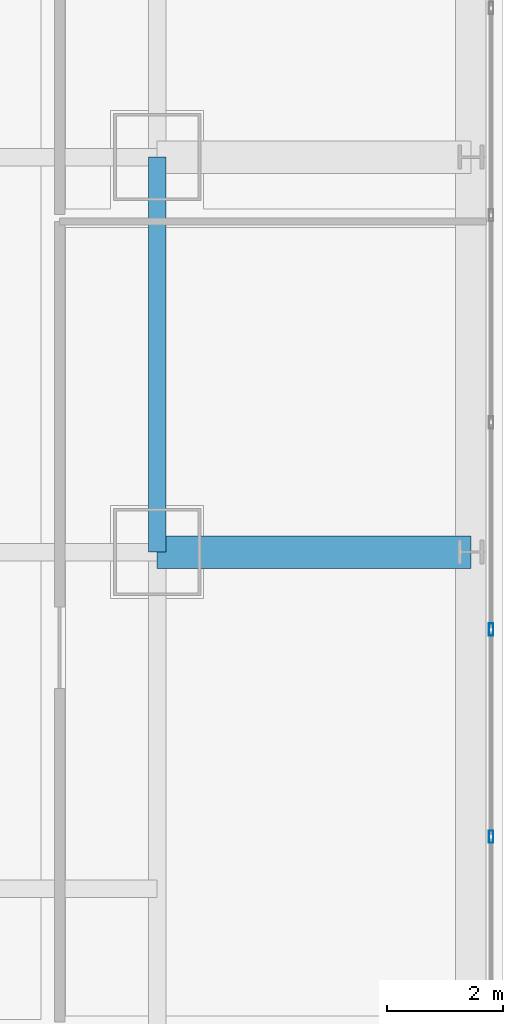
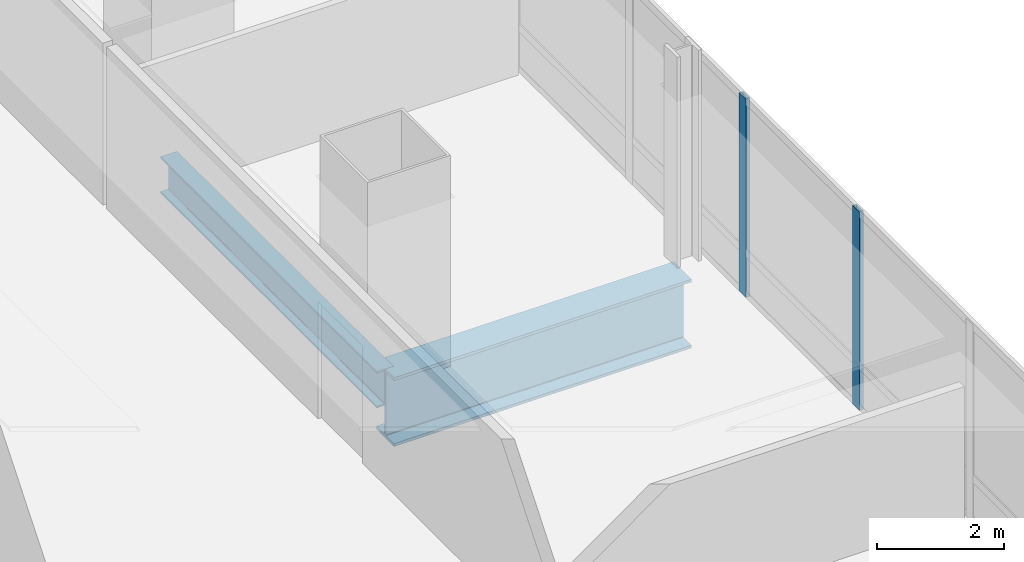
# One storey, part 15 of 34: 2 beams, 2 members, 1 element without a shape of its own.
"""IFC4 building model written with IfcOpenShell, lengths in metres."""

from ifc_helpers import new_model, si_unit, direction, frame, origin, origin_2d, place, context, subcontext, project, spatial, hollow_rectangle, i_section, extrude, material, material_profile, profile_set, type_object, element, aggregate, save


model = new_model("IFC4")

# Units and contexts
model_context = context("Model", 3, precision=1e-05, world=origin(), true_north=direction((0.0, 1.0)))
body_context = subcontext(model_context, "Body", "Model", "MODEL_VIEW")
ifc_project = project(units=[si_unit("LENGTHUNIT", "METRE"), si_unit("AREAUNIT", "SQUARE_METRE"), si_unit("VOLUMEUNIT", "CUBIC_METRE"), si_unit("PLANEANGLEUNIT", "RADIAN"), si_unit("MASSUNIT", "GRAM", prefix="KILO")], contexts=[model_context])

# Site, building, storey
site_placement = place(None, origin())
site = spatial("IfcSite", under=ifc_project, at=site_placement, CompositionType="ELEMENT")
building_placement = place(site_placement, origin())
building = spatial("IfcBuilding", under=site, at=building_placement, Name="Punatoya Terracotta Tower", CompositionType="ELEMENT")
storey_placement = place(building_placement, frame((0.0, 0.0, 101.10009765625)))
storey = spatial("IfcBuildingStorey", under=building, at=storey_placement, Name="L23", CompositionType="ELEMENT", Elevation=101.10009765625)

# Beams
ifc_material_1 = material(Name="Steel S355", Category="steel")
ifc_material_profile_1 = material_profile(ifc_material_1, i_section(OverallWidth=0.300048828125, OverallDepth=0.699951171875, WebThickness=0.01708984375, FlangeThickness=0.031982421875, FilletRadius=0.01806640625, at=origin_2d()))
ifc_profile_set_1 = profile_set([ifc_material_profile_1], Name="Steel S355")
beam_type_1 = type_object("IfcBeamType", Name="BM-PRI-700", PredefinedType="BEAM", material=ifc_profile_set_1)
beam_1_placement = place(storey_placement, frame((19.10009765625, -3.39990234375, -0.590087890625), z_axis=(0.0, 1.0, 0.0), x_axis=(-1.0, 0.0, 0.0)))
element("IfcBeam", 1, at=beam_1_placement, inside=storey, type_object=beam_type_1, Name="BM-L23-RG-E2", PredefinedType="BEAM", context=body_context, shape_type="SweptSolid", body=[
    extrude(i_section(OverallWidth=0.300048828125, OverallDepth=0.699951171875, WebThickness=0.01708984375, FlangeThickness=0.031982421875, FilletRadius=0.01806640625, at=origin_2d()), origin(), (0.0, 0.0, 1.0), 6.7998046875),
])
ifc_material_2 = material(Name="Steel S460", Category="steel")
ifc_material_profile_2 = material_profile(ifc_material_2, i_section(OverallWidth=0.56005859375, OverallDepth=1.320068359375, WebThickness=0.035888671875, FlangeThickness=0.054931640625, FilletRadius=0.01806640625, at=origin_2d()))
ifc_profile_set_2 = profile_set([ifc_material_profile_2], Name="Steel S460")
beam_type_2 = type_object("IfcBeamType", Name="BM-TG-BLK", PredefinedType="BEAM", material=ifc_profile_set_2)
beam_2_placement = place(storey_placement, frame((19.10009765625, -3.39990234375, -0.900146484375), z_axis=(1.0, 0.0, 0.0), x_axis=(0.0, 1.0, 0.0)))
element("IfcBeam", 2, at=beam_2_placement, inside=storey, type_object=beam_type_2, Name="BM-L23-CANT-E2", PredefinedType="BEAM", context=body_context, shape_type="SweptSolid", body=[
    extrude(i_section(OverallWidth=0.56005859375, OverallDepth=1.320068359375, WebThickness=0.035888671875, FlangeThickness=0.054931640625, FilletRadius=0.01806640625, at=origin_2d()), origin(), (0.0, 0.0, 1.0), 5.39990234375),
])

# Curtain wall, members
ifc_material_3 = material(Name="Aluminium 6063-T6 + Double Low-E Glass", Category="aluminium")
curtain_wall_type = type_object("IfcCurtainWallType", Name="CW-M1", PredefinedType="NOTDEFINED", material=ifc_material_3)
curtain_wall_placement = place(storey_placement, origin())
curtain_wall = element("IfcCurtainWall", 3, at=curtain_wall_placement, inside=storey, type_object=curtain_wall_type, Name="L23 Curtain Wall CW-L23-E05-1", PredefinedType="NOTDEFINED")
ifc_material_4 = material(Name="Aluminium 6063-T6", Category="aluminium")
ifc_material_profile_3 = material_profile(ifc_material_4, hollow_rectangle(XDim=0.074951171875, YDim=0.2099609375, WallThickness=0.00439453125, at=origin_2d()))
ifc_profile_set_3 = profile_set([ifc_material_profile_3], Name="Aluminium 6063-T6")
member_type = type_object("IfcMemberType", Name="CW-MUL-M1", PredefinedType="MULLION", material=ifc_profile_set_3)
member_1_placement = place(storey_placement, frame((24.85009765625, -8.302001953125, 0.0), z_axis=(0.0, 0.0, 1.0), x_axis=(1.0, 0.0, 0.0)))
member_1 = element("IfcMember", 4, at=member_1_placement, type_object=member_type, Name="CW-L23-E05-1 Mullion 02", PredefinedType="MULLION", context=body_context, shape_type="SweptSolid", body=[
    extrude(hollow_rectangle(XDim=0.074951171875, YDim=0.2099609375, WallThickness=0.00439453125, at=origin_2d()), origin(), (0.0, 0.0, 1.0), 3.809814453125),
])
member_2_placement = place(storey_placement, frame((24.85009765625, -4.73486328125, 0.0), z_axis=(0.0, 0.0, 1.0), x_axis=(1.0, 0.0, 0.0)))
member_2 = element("IfcMember", 5, at=member_2_placement, type_object=member_type, Name="CW-L23-E05-1 Mullion 03", PredefinedType="MULLION", context=body_context, shape_type="SweptSolid", body=[
    extrude(hollow_rectangle(XDim=0.074951171875, YDim=0.2099609375, WallThickness=0.00439453125, at=origin_2d()), origin(), (0.0, 0.0, 1.0), 3.809814453125),
])
aggregate(curtain_wall, [member_1, member_2])

save(model, "model.ifc")
